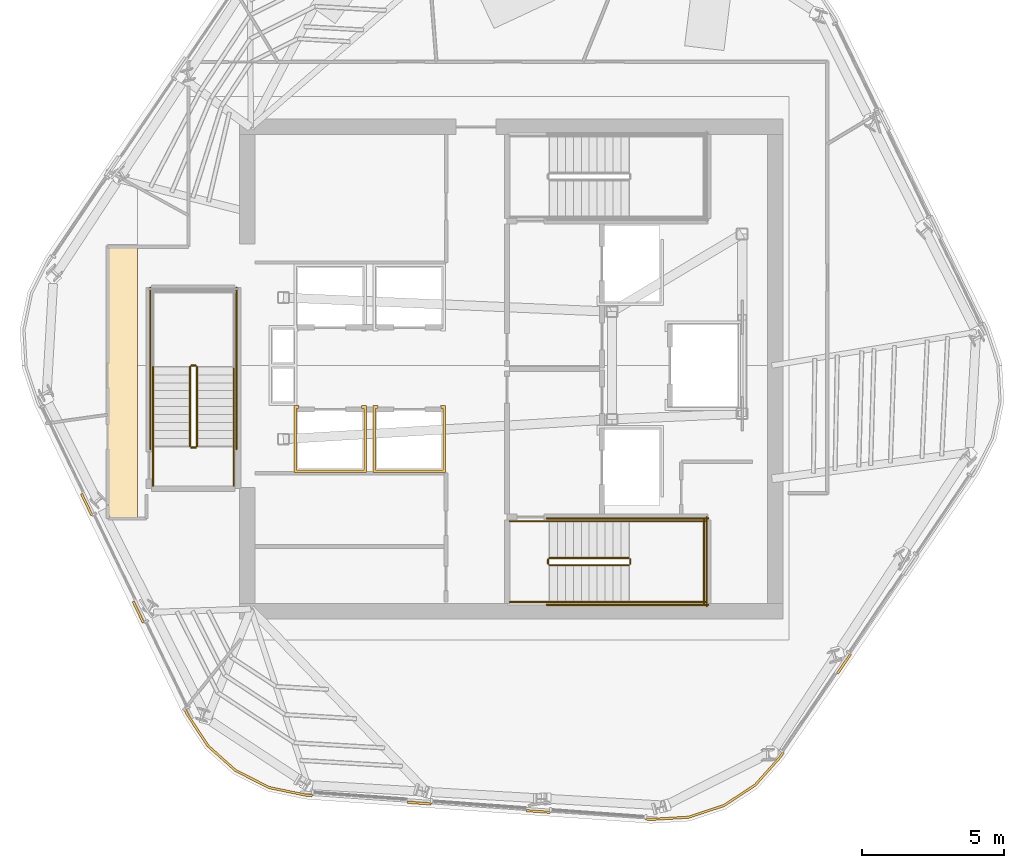
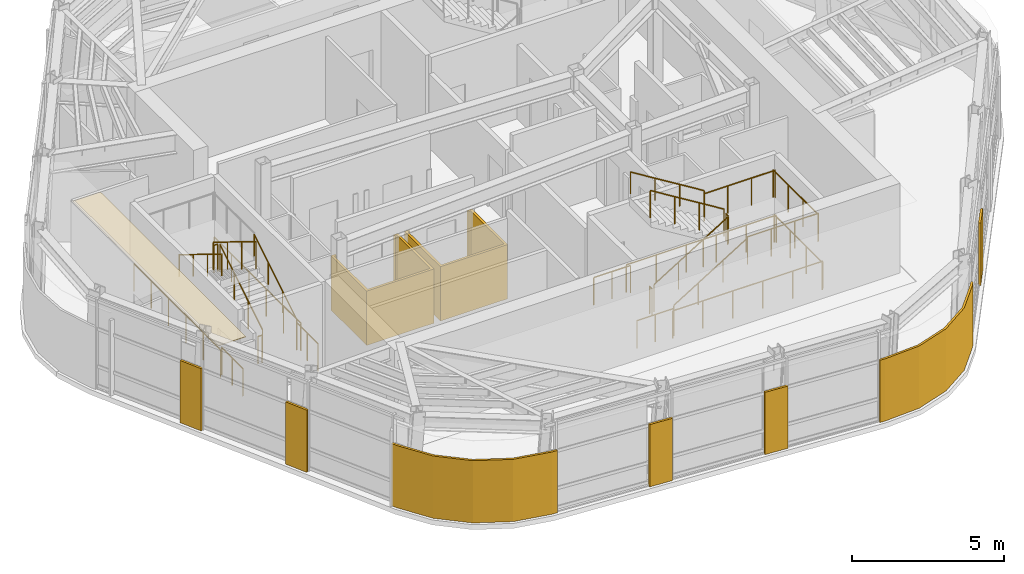
# One storey, part 8 of 11: 24 railings, 10 coverings.
"""IFC4 building model written with IfcOpenShell, lengths in metres."""

from ifc_helpers import new_model, si_unit, direction, frame, origin, origin_2d, place, context, subcontext, project, spatial, polyline, circle, outline, extrude, material, layer, layer_set, type_object, element, save


model = new_model("IFC4")

# Units and contexts
model_context = context("Model", 3, precision=1e-05, world=origin(), true_north=direction((0.0, 1.0)))
body_context = subcontext(model_context, "Body", "Model", "MODEL_VIEW")
ifc_project = project(units=[si_unit("LENGTHUNIT", "METRE"), si_unit("AREAUNIT", "SQUARE_METRE"), si_unit("VOLUMEUNIT", "CUBIC_METRE"), si_unit("PLANEANGLEUNIT", "RADIAN"), si_unit("MASSUNIT", "GRAM", prefix="KILO")], contexts=[model_context])

# Site, building, storey
site_placement = place(None, origin())
site = spatial("IfcSite", under=ifc_project, at=site_placement, CompositionType="ELEMENT")
building_placement = place(site_placement, origin())
building = spatial("IfcBuilding", under=site, at=building_placement, Name="Valkerne Bourse Tower", CompositionType="ELEMENT")
storey_placement = place(building_placement, frame((0.0, 0.0, 266.0)))
storey = spatial("IfcBuildingStorey", under=building, at=storey_placement, Name="L67", CompositionType="ELEMENT", Elevation=266.0)

# Coverings
ifc_material_1 = material(Name="Bronze Anodised Aluminium AA 6063-T6", Category="aluminium")
ifc_layer_1 = layer(ifc_material_1, 0.030029296875)
ifc_layer_set_1 = layer_set([ifc_layer_1], Name="Bronze Anodised Aluminium AA 6063-T6")
covering_type_1 = type_object("IfcCoveringType", Name="COV-CEIL-METAL", PredefinedType="CEILING", material=ifc_layer_set_1)
covering_1_placement = place(storey_placement, frame((0.0, 0.0, 3.25)))
element("IfcCovering", 1, at=covering_1_placement, inside=storey, type_object=covering_type_1, Name="L67 Suspended Ceiling 02", PredefinedType="CEILING", context=body_context, shape_type="SweptSolid", body=[
    extrude(outline(polyline([(32.553955078125, 21.60400390625), (32.553955078125, 31.196044921875), (33.60009765625, 31.196044921875), (33.60009765625, 21.60400390625), (32.553955078125, 21.60400390625)])), origin(), (0.0, 0.0, 1.0), 0.02490234375),
])
ifc_layer_2 = layer(ifc_material_1, 0.06005859375)
ifc_layer_set_2 = layer_set([ifc_layer_2], Name="Bronze Anodised Aluminium AA 6063-T6")
covering_type_2 = type_object("IfcCoveringType", Name="COV-CRN-ALUM", PredefinedType="CLADDING", material=ifc_layer_set_2)
covering_2_placement = place(storey_placement, origin())
element("IfcCovering", 2, at=covering_2_placement, inside=storey, type_object=covering_type_2, Name="L67 Wind-Shaped Corner Aluminium Cladding 03", PredefinedType="CLADDING", context=body_context, shape_type="SweptSolid", body=[
    extrude(outline(polyline([(58.343505859375, 16.10107421875), (58.277099609375, 16.14599609375), (58.751708984375, 16.839111328125), (58.81787109375, 16.794189453125), (58.343505859375, 16.10107421875)])), origin(), (0.0, 0.0, 1.0), 2.5),
])
covering_3_placement = place(storey_placement, origin())
element("IfcCovering", 3, at=covering_3_placement, inside=storey, type_object=covering_type_2, Name="L67 Wind-Shaped Corner Aluminium Cladding 04", PredefinedType="CLADDING", context=body_context, shape_type="SweptSolid", body=[
    extrude(outline(polyline([(56.329833984375, 13.1591796875), (55.439697265625, 12.16015625), (54.3271484375, 11.42919921875), (53.0634765625, 11.01123046875), (51.7275390625, 10.934326171875), (51.534912109375, 10.94775390625), (51.541015625, 11.027587890625), (51.72802734375, 11.014404296875), (53.04833984375, 11.090576171875), (54.2919921875, 11.501953125), (55.38720703125, 12.22119140625), (56.2666015625, 13.20849609375), (56.37255859375, 13.36328125), (56.438720703125, 13.318359375), (56.329833984375, 13.1591796875)])), origin(), (0.0, 0.0, 1.0), 2.5),
])
covering_4_placement = place(storey_placement, origin())
element("IfcCovering", 4, at=covering_4_placement, inside=storey, type_object=covering_type_2, Name="L67 Wind-Shaped Corner Aluminium Cladding 05", PredefinedType="CLADDING", context=body_context, shape_type="SweptSolid", body=[
    extrude(outline(polyline([(47.333251953125, 11.242431640625), (47.339111328125, 11.322021484375), (48.17724609375, 11.263427734375), (48.17138671875, 11.18359375), (47.333251953125, 11.242431640625)])), origin(), (0.0, 0.0, 1.0), 2.5),
])
covering_5_placement = place(storey_placement, origin())
element("IfcCovering", 5, at=covering_5_placement, inside=storey, type_object=covering_type_2, Name="L67 Wind-Shaped Corner Aluminium Cladding 06", PredefinedType="CLADDING", context=body_context, shape_type="SweptSolid", body=[
    extrude(outline(polyline([(43.131591796875, 11.536865234375), (43.137451171875, 11.61669921875), (43.9755859375, 11.55810546875), (43.969482421875, 11.478271484375), (43.131591796875, 11.536865234375)])), origin(), (0.0, 0.0, 1.0), 2.5),
])
covering_6_placement = place(storey_placement, origin())
element("IfcCovering", 6, at=covering_6_placement, inside=storey, type_object=covering_type_2, Name="L67 Wind-Shaped Corner Aluminium Cladding 07", PredefinedType="CLADDING", context=body_context, shape_type="SweptSolid", body=[
    extrude(outline(polyline([(39.5517578125, 11.787841796875), (38.241943359375, 12.05908203125), (37.052734375, 12.6572265625), (36.058837890625, 13.542724609375), (35.324462890625, 14.660888671875), (35.230712890625, 14.856201171875), (35.302734375, 14.89111328125), (35.394287109375, 14.7001953125), (36.119873046875, 13.595458984375), (37.09814453125, 12.72412109375), (38.268310546875, 12.135498046875), (39.562744140625, 11.8671875), (39.773681640625, 11.8525390625), (39.767822265625, 11.772705078125), (39.5517578125, 11.787841796875)])), origin(), (0.0, 0.0, 1.0), 2.5),
])
covering_7_placement = place(storey_placement, origin())
element("IfcCovering", 7, at=covering_7_placement, inside=storey, type_object=covering_type_2, Name="L67 Wind-Shaped Corner Aluminium Cladding 08", PredefinedType="CLADDING", context=body_context, shape_type="SweptSolid", body=[
    extrude(outline(polyline([(33.41015625, 18.654541015625), (33.482177734375, 18.689208984375), (33.84521484375, 17.931884765625), (33.773193359375, 17.89697265625), (33.41015625, 18.654541015625)])), origin(), (0.0, 0.0, 1.0), 2.5),
])
covering_8_placement = place(storey_placement, origin())
element("IfcCovering", 8, at=covering_8_placement, inside=storey, type_object=covering_type_2, Name="L67 Wind-Shaped Corner Aluminium Cladding 09", PredefinedType="CLADDING", context=body_context, shape_type="SweptSolid", body=[
    extrude(outline(polyline([(31.589599609375, 22.45263671875), (31.66162109375, 22.487548828125), (32.024658203125, 21.72998046875), (31.95263671875, 21.695068359375), (31.589599609375, 22.45263671875)])), origin(), (0.0, 0.0, 1.0), 2.5),
])
ifc_material_2 = material(Name="Gypsum Shaftwall Liner Board", Category="gypsum")
ifc_layer_3 = layer(ifc_material_2, 0.080078125)
ifc_layer_set_3 = layer_set([ifc_layer_3], Name="Gypsum Shaftwall Liner Board")
covering_type_3 = type_object("IfcCoveringType", Name="COV-SHF-CLAD", PredefinedType="CLADDING", material=ifc_layer_set_3)
covering_9_placement = place(storey_placement, origin())
element("IfcCovering", 9, at=covering_9_placement, inside=storey, type_object=covering_type_3, Name="L67 Hoistway & Riser Shaftwall Liner 02", PredefinedType="CLADDING", context=body_context, shape_type="SweptSolid", body=[
    extrude(outline(polyline([(39.29931640625, 25.580078125), (39.28857421875, 25.537841796875), (39.2822265625, 25.494140625), (39.281982421875, 25.489990234375), (39.2099609375, 25.489990234375), (39.2099609375, 23.31005859375), (41.590087890625, 23.31005859375), (41.590087890625, 25.489990234375), (41.51806640625, 25.489990234375), (41.517822265625, 25.494140625), (41.511474609375, 25.537841796875), (41.500732421875, 25.580078125), (41.679931640625, 25.580078125), (41.679931640625, 23.219970703125), (39.1201171875, 23.219970703125), (39.1201171875, 25.580078125), (39.29931640625, 25.580078125)])), origin(), (0.0, 0.0, 1.0), 2.179931640625),
])
covering_10_placement = place(storey_placement, origin())
element("IfcCovering", 10, at=covering_10_placement, inside=storey, type_object=covering_type_3, Name="L67 Hoistway & Riser Shaftwall Liner 03", PredefinedType="CLADDING", context=body_context, shape_type="SweptSolid", body=[
    extrude(outline(polyline([(42.09912109375, 25.580078125), (42.088623046875, 25.537841796875), (42.082275390625, 25.494140625), (42.08203125, 25.489990234375), (42.010009765625, 25.489990234375), (42.010009765625, 23.31005859375), (44.389892578125, 23.31005859375), (44.389892578125, 25.489990234375), (44.318115234375, 25.489990234375), (44.31787109375, 25.494140625), (44.311279296875, 25.537841796875), (44.30078125, 25.580078125), (44.47998046875, 25.580078125), (44.47998046875, 23.219970703125), (41.919921875, 23.219970703125), (41.919921875, 25.580078125), (42.09912109375, 25.580078125)])), origin(), (0.0, 0.0, 1.0), 2.179931640625),
])

# Railings
ifc_material_3 = material(Name="Galvanised Painted Steel", Category="steel")
railing_type_1 = type_object("IfcRailingType", Name="RLG-ST-GUARD-1120", PredefinedType="GUARDRAIL", material=ifc_material_3)
railing_1_placement = place(storey_placement, frame((48.14990234375, 19.949951171875, 0.172607421875)))
element("IfcRailing", 11, at=railing_1_placement, inside=storey, type_object=railing_type_1, Name="L67 ST-1 stair guard 1", PredefinedType="GUARDRAIL", context=body_context, shape_type="SweptSolid", body=[
    extrude(circle(Radius=0.02392578125, at=origin_2d()), frame((0.0, 0.0, 1.09619140625), z_axis=(0.851089632645, 0.0, 0.525020415988), x_axis=(0.0, 1.0, 0.0)), (0.0, 0.0, 1.0), 3.2900390625),
    extrude(circle(Radius=0.02099609375, at=origin_2d()), origin(), (0.0, 0.0, 1.0), 1.072021484375),
    extrude(circle(Radius=0.02099609375, at=origin_2d()), frame((0.933349609375, 0.0, 0.57568359375)), (0.0, 0.0, 1.0), 1.072021484375),
    extrude(circle(Radius=0.02099609375, at=origin_2d()), frame((1.86669921875, 0.0, 1.151611328125)), (0.0, 0.0, 1.0), 1.072021484375),
    extrude(circle(Radius=0.02099609375, at=origin_2d()), frame((2.800048828125, 0.0, 1.727294921875)), (0.0, 0.0, 1.0), 1.072021484375),
])
railing_2_placement = place(storey_placement, frame((51.0, 20.0, 1.89990234375)))
element("IfcRailing", 12, at=railing_2_placement, inside=storey, type_object=railing_type_1, Name="L67 ST-1 stair guard 2", PredefinedType="GUARDRAIL", context=body_context, shape_type="SweptSolid", body=[
    extrude(circle(Radius=0.02392578125, at=origin_2d()), frame((0.0, 0.0, 1.09619140625), z_axis=(0.0, 1.0, 0.0), x_axis=(-1.0, 0.0, 0.0)), (0.0, 0.0, 1.0), 0.14990234375),
    extrude(circle(Radius=0.02099609375, at=origin_2d()), origin(), (0.0, 0.0, 1.0), 1.072021484375),
    extrude(circle(Radius=0.02099609375, at=origin_2d()), frame((0.0, 0.14990234375, 0.0)), (0.0, 0.0, 1.0), 1.072021484375),
])
for number, where, name in (
    (13, (50.949951171875, 18.64990234375, 1.89990234375), "L67 ST-1 stair guard 3"),
    (14, (50.949951171875, 21.5, 1.89990234375), "L67 ST-1 stair guard 4"),
):
    element("IfcRailing", number, at=place(storey_placement, frame(where)), inside=storey, type_object=railing_type_1, Name=name, PredefinedType="GUARDRAIL", context=body_context, shape_type="SweptSolid", body=[
        extrude(circle(Radius=0.02392578125, at=origin_2d()), frame((0.0, 0.0, 1.09619140625), z_axis=(1.0, 0.0, 0.0), x_axis=(0.0, 1.0, 0.0)), (0.0, 0.0, 1.0), 2.699951171875),
        extrude(circle(Radius=0.02099609375, at=origin_2d()), origin(), (0.0, 0.0, 1.0), 1.072021484375),
        extrude(circle(Radius=0.02099609375, at=origin_2d()), frame((0.89990234375, 0.0, 0.0)), (0.0, 0.0, 1.0), 1.072021484375),
        extrude(circle(Radius=0.02099609375, at=origin_2d()), frame((1.800048828125, 0.0, 0.0)), (0.0, 0.0, 1.0), 1.072021484375),
        extrude(circle(Radius=0.02099609375, at=origin_2d()), frame((2.699951171875, 0.0, 0.0)), (0.0, 0.0, 1.0), 1.072021484375),
    ])
railing_3_placement = place(storey_placement, frame((53.60009765625, 18.60009765625, 1.89990234375)))
element("IfcRailing", 15, at=railing_3_placement, inside=storey, type_object=railing_type_1, Name="L67 ST-1 stair guard 5", PredefinedType="GUARDRAIL", context=body_context, shape_type="SweptSolid", body=[
    extrude(circle(Radius=0.02392578125, at=origin_2d()), frame((0.0, 0.0, 1.09619140625), z_axis=(0.0, 1.0, 0.0), x_axis=(-1.0, 0.0, 0.0)), (0.0, 0.0, 1.0), 2.949951171875),
    extrude(circle(Radius=0.02099609375, at=origin_2d()), origin(), (0.0, 0.0, 1.0), 1.072021484375),
    extrude(circle(Radius=0.02099609375, at=origin_2d()), frame((0.0, 0.9833984375, 0.0)), (0.0, 0.0, 1.0), 1.072021484375),
    extrude(circle(Radius=0.02099609375, at=origin_2d()), frame((0.0, 1.966552734375, 0.0)), (0.0, 0.0, 1.0), 1.072021484375),
    extrude(circle(Radius=0.02099609375, at=origin_2d()), frame((0.0, 2.949951171875, 0.0)), (0.0, 0.0, 1.0), 1.072021484375),
])
railing_4_placement = place(storey_placement, frame((50.949951171875, 20.199951171875, 2.07275390625)))
element("IfcRailing", 16, at=railing_4_placement, inside=storey, type_object=railing_type_1, Name="L67 ST-1 stair guard 6", PredefinedType="GUARDRAIL", context=body_context, shape_type="SweptSolid", body=[
    extrude(circle(Radius=0.02392578125, at=origin_2d()), frame((0.0, 0.0, 1.09619140625), z_axis=(-0.851089632645, 0.0, 0.525020415988), x_axis=(0.0, -1.0, 0.0)), (0.0, 0.0, 1.0), 3.2900390625),
    extrude(circle(Radius=0.02099609375, at=origin_2d()), origin(), (0.0, 0.0, 1.0), 1.072021484375),
    extrude(circle(Radius=0.02099609375, at=origin_2d()), frame((-0.933349609375, 0.0, 0.57568359375)), (0.0, 0.0, 1.0), 1.072021484375),
    extrude(circle(Radius=0.02099609375, at=origin_2d()), frame((-1.86669921875, 0.0, 1.151611328125)), (0.0, 0.0, 1.0), 1.072021484375),
    extrude(circle(Radius=0.02099609375, at=origin_2d()), frame((-2.800048828125, 0.0, 1.727294921875)), (0.0, 0.0, 1.0), 1.072021484375),
])
railing_5_placement = place(storey_placement, frame((48.10009765625, 20.0, 0.0)))
element("IfcRailing", 17, at=railing_5_placement, inside=storey, type_object=railing_type_1, Name="L67 ST-1 stair guard 7", PredefinedType="GUARDRAIL", context=body_context, shape_type="SweptSolid", body=[
    extrude(circle(Radius=0.02392578125, at=origin_2d()), frame((0.0, 0.0, 1.09619140625), z_axis=(0.0, 1.0, 0.0), x_axis=(-1.0, 0.0, 0.0)), (0.0, 0.0, 1.0), 0.14990234375),
    extrude(circle(Radius=0.02099609375, at=origin_2d()), origin(), (0.0, 0.0, 1.0), 1.072021484375),
    extrude(circle(Radius=0.02099609375, at=origin_2d()), frame((0.0, 0.14990234375, 0.0)), (0.0, 0.0, 1.0), 1.072021484375),
])
for number, where, name in (
    (18, (46.75, 18.64990234375, 0.0), "L67 ST-1 stair guard 8"),
    (19, (46.75, 21.5, 0.0), "L67 ST-1 stair guard 9"),
):
    element("IfcRailing", number, at=place(storey_placement, frame(where)), inside=storey, type_object=railing_type_1, Name=name, PredefinedType="GUARDRAIL", context=body_context, shape_type="SweptSolid", body=[
        extrude(circle(Radius=0.02392578125, at=origin_2d()), frame((0.0, 0.0, 1.09619140625), z_axis=(1.0, 0.0, 0.0), x_axis=(0.0, 1.0, 0.0)), (0.0, 0.0, 1.0), 1.39990234375),
        extrude(circle(Radius=0.02099609375, at=origin_2d()), origin(), (0.0, 0.0, 1.0), 1.072021484375),
        extrude(circle(Radius=0.02099609375, at=origin_2d()), frame((0.699951171875, 0.0, 0.0)), (0.0, 0.0, 1.0), 1.072021484375),
        extrude(circle(Radius=0.02099609375, at=origin_2d()), frame((1.39990234375, 0.0, 0.0)), (0.0, 0.0, 1.0), 1.072021484375),
    ])
for number, where, name in (
    (20, (48.050048828125, 18.550048828125, 0.0), "L67 ST-1 stair guard 10"),
    (21, (48.050048828125, 21.60009765625, 0.0), "L67 ST-1 stair guard 11"),
):
    element("IfcRailing", number, at=place(storey_placement, frame(where)), inside=storey, type_object=railing_type_1, Name=name, PredefinedType="GUARDRAIL", context=body_context, shape_type="SweptSolid", body=[
        extrude(circle(Radius=0.02392578125, at=origin_2d()), frame((0.0, 0.0, 1.09619140625), z_axis=(1.0, 0.0, 0.0), x_axis=(0.0, 1.0, 0.0)), (0.0, 0.0, 1.0), 5.699951171875),
        extrude(circle(Radius=0.02099609375, at=origin_2d()), origin(), (0.0, 0.0, 1.0), 1.072021484375),
        extrude(circle(Radius=0.02099609375, at=origin_2d()), frame((1.139892578125, 0.0, 0.0)), (0.0, 0.0, 1.0), 1.072021484375),
        extrude(circle(Radius=0.02099609375, at=origin_2d()), frame((2.280029296875, 0.0, 0.0)), (0.0, 0.0, 1.0), 1.072021484375),
        extrude(circle(Radius=0.02099609375, at=origin_2d()), frame((3.419921875, 0.0, 0.0)), (0.0, 0.0, 1.0), 1.072021484375),
        extrude(circle(Radius=0.02099609375, at=origin_2d()), frame((4.56005859375, 0.0, 0.0)), (0.0, 0.0, 1.0), 1.072021484375),
        extrude(circle(Radius=0.02099609375, at=origin_2d()), frame((5.699951171875, 0.0, 0.0)), (0.0, 0.0, 1.0), 1.072021484375),
    ])
railing_6_placement = place(storey_placement, frame((53.699951171875, 18.5, 0.0)))
element("IfcRailing", 22, at=railing_6_placement, inside=storey, type_object=railing_type_1, Name="L67 ST-1 stair guard 12", PredefinedType="GUARDRAIL", context=body_context, shape_type="SweptSolid", body=[
    extrude(circle(Radius=0.02392578125, at=origin_2d()), frame((0.0, 0.0, 1.09619140625), z_axis=(0.0, 1.0, 0.0), x_axis=(-1.0, 0.0, 0.0)), (0.0, 0.0, 1.0), 3.14990234375),
    extrude(circle(Radius=0.02099609375, at=origin_2d()), origin(), (0.0, 0.0, 1.0), 1.072021484375),
    extrude(circle(Radius=0.02099609375, at=origin_2d()), frame((0.0, 1.050048828125, 0.0)), (0.0, 0.0, 1.0), 1.072021484375),
    extrude(circle(Radius=0.02099609375, at=origin_2d()), frame((0.0, 2.099853515625, 0.0)), (0.0, 0.0, 1.0), 1.072021484375),
    extrude(circle(Radius=0.02099609375, at=origin_2d()), frame((0.0, 3.14990234375, 0.0)), (0.0, 0.0, 1.0), 1.072021484375),
])
railing_7_placement = place(storey_placement, frame((35.699951171875, 24.14990234375, 0.172607421875)))
element("IfcRailing", 23, at=railing_7_placement, inside=storey, type_object=railing_type_1, Name="L67 ST-3 stair guard 1", PredefinedType="GUARDRAIL", context=body_context, shape_type="SweptSolid", body=[
    extrude(circle(Radius=0.02392578125, at=origin_2d()), frame((0.0, 0.0, 1.09619140625), z_axis=(0.0, 0.851089632645, 0.525020415988), x_axis=(-1.0, 0.0, 0.0)), (0.0, 0.0, 1.0), 3.2900390625),
    extrude(circle(Radius=0.02099609375, at=origin_2d()), origin(), (0.0, 0.0, 1.0), 1.072021484375),
    extrude(circle(Radius=0.02099609375, at=origin_2d()), frame((0.0, 0.933349609375, 0.57568359375)), (0.0, 0.0, 1.0), 1.072021484375),
    extrude(circle(Radius=0.02099609375, at=origin_2d()), frame((0.0, 1.86669921875, 1.151611328125)), (0.0, 0.0, 1.0), 1.072021484375),
    extrude(circle(Radius=0.02099609375, at=origin_2d()), frame((0.0, 2.800048828125, 1.727294921875)), (0.0, 0.0, 1.0), 1.072021484375),
])
railing_8_placement = place(storey_placement, frame((35.64990234375, 27.0, 1.89990234375)))
element("IfcRailing", 24, at=railing_8_placement, inside=storey, type_object=railing_type_1, Name="L67 ST-3 stair guard 2", PredefinedType="GUARDRAIL", context=body_context, shape_type="SweptSolid", body=[
    extrude(circle(Radius=0.02392578125, at=origin_2d()), frame((0.0, 0.0, 1.09619140625), z_axis=(-1.0, 0.0, 0.0), x_axis=(0.0, -1.0, 0.0)), (0.0, 0.0, 1.0), 0.14990234375),
    extrude(circle(Radius=0.02099609375, at=origin_2d()), origin(), (0.0, 0.0, 1.0), 1.072021484375),
    extrude(circle(Radius=0.02099609375, at=origin_2d()), frame((-0.14990234375, 0.0, 0.0)), (0.0, 0.0, 1.0), 1.072021484375),
])
railing_9_placement = place(storey_placement, frame((35.449951171875, 26.949951171875, 2.07275390625)))
element("IfcRailing", 25, at=railing_9_placement, inside=storey, type_object=railing_type_1, Name="L67 ST-3 stair guard 6", PredefinedType="GUARDRAIL", context=body_context, shape_type="SweptSolid", body=[
    extrude(circle(Radius=0.02392578125, at=origin_2d()), frame((0.0, 0.0, 1.09619140625), z_axis=(0.0, -0.851089632645, 0.525020415988), x_axis=(1.0, 0.0, 0.0)), (0.0, 0.0, 1.0), 3.2900390625),
    extrude(circle(Radius=0.02099609375, at=origin_2d()), origin(), (0.0, 0.0, 1.0), 1.072021484375),
    extrude(circle(Radius=0.02099609375, at=origin_2d()), frame((0.0, -0.933349609375, 0.57568359375)), (0.0, 0.0, 1.0), 1.072021484375),
    extrude(circle(Radius=0.02099609375, at=origin_2d()), frame((0.0, -1.86669921875, 1.151611328125)), (0.0, 0.0, 1.0), 1.072021484375),
    extrude(circle(Radius=0.02099609375, at=origin_2d()), frame((0.0, -2.800048828125, 1.727294921875)), (0.0, 0.0, 1.0), 1.072021484375),
])
railing_10_placement = place(storey_placement, frame((35.64990234375, 24.10009765625, 0.0)))
element("IfcRailing", 26, at=railing_10_placement, inside=storey, type_object=railing_type_1, Name="L67 ST-3 stair guard 7", PredefinedType="GUARDRAIL", context=body_context, shape_type="SweptSolid", body=[
    extrude(circle(Radius=0.02392578125, at=origin_2d()), frame((0.0, 0.0, 1.09619140625), z_axis=(-1.0, 0.0, 0.0), x_axis=(0.0, -1.0, 0.0)), (0.0, 0.0, 1.0), 0.14990234375),
    extrude(circle(Radius=0.02099609375, at=origin_2d()), origin(), (0.0, 0.0, 1.0), 1.072021484375),
    extrude(circle(Radius=0.02099609375, at=origin_2d()), frame((-0.14990234375, 0.0, 0.0)), (0.0, 0.0, 1.0), 1.072021484375),
])
for number, where, name in (
    (27, (37.0, 22.75, 0.0), "L67 ST-3 stair guard 8"),
    (28, (34.14990234375, 22.75, 0.0), "L67 ST-3 stair guard 9"),
):
    element("IfcRailing", number, at=place(storey_placement, frame(where)), inside=storey, type_object=railing_type_1, Name=name, PredefinedType="GUARDRAIL", context=body_context, shape_type="SweptSolid", body=[
        extrude(circle(Radius=0.02392578125, at=origin_2d()), frame((0.0, 0.0, 1.09619140625), z_axis=(0.0, 1.0, 0.0), x_axis=(-1.0, 0.0, 0.0)), (0.0, 0.0, 1.0), 1.39990234375),
        extrude(circle(Radius=0.02099609375, at=origin_2d()), origin(), (0.0, 0.0, 1.0), 1.072021484375),
        extrude(circle(Radius=0.02099609375, at=origin_2d()), frame((0.0, 0.699951171875, 0.0)), (0.0, 0.0, 1.0), 1.072021484375),
        extrude(circle(Radius=0.02099609375, at=origin_2d()), frame((0.0, 1.39990234375, 0.0)), (0.0, 0.0, 1.0), 1.072021484375),
    ])
for number, where, name in (
    (29, (37.10009765625, 24.050048828125, 0.0), "L67 ST-3 stair guard 10"),
    (30, (34.050048828125, 24.050048828125, 0.0), "L67 ST-3 stair guard 11"),
):
    element("IfcRailing", number, at=place(storey_placement, frame(where)), inside=storey, type_object=railing_type_1, Name=name, PredefinedType="GUARDRAIL", context=body_context, shape_type="SweptSolid", body=[
        extrude(circle(Radius=0.02392578125, at=origin_2d()), frame((0.0, 0.0, 1.09619140625), z_axis=(0.0, 1.0, 0.0), x_axis=(-1.0, 0.0, 0.0)), (0.0, 0.0, 1.0), 5.699951171875),
        extrude(circle(Radius=0.02099609375, at=origin_2d()), origin(), (0.0, 0.0, 1.0), 1.072021484375),
        extrude(circle(Radius=0.02099609375, at=origin_2d()), frame((0.0, 1.139892578125, 0.0)), (0.0, 0.0, 1.0), 1.072021484375),
        extrude(circle(Radius=0.02099609375, at=origin_2d()), frame((0.0, 2.280029296875, 0.0)), (0.0, 0.0, 1.0), 1.072021484375),
        extrude(circle(Radius=0.02099609375, at=origin_2d()), frame((0.0, 3.419921875, 0.0)), (0.0, 0.0, 1.0), 1.072021484375),
        extrude(circle(Radius=0.02099609375, at=origin_2d()), frame((0.0, 4.56005859375, 0.0)), (0.0, 0.0, 1.0), 1.072021484375),
        extrude(circle(Radius=0.02099609375, at=origin_2d()), frame((0.0, 5.699951171875, 0.0)), (0.0, 0.0, 1.0), 1.072021484375),
    ])
ifc_material_4 = material(Name="Stainless Steel AISI 316", Category="steel")
railing_type_2 = type_object("IfcRailingType", Name="RLG-ST-HANDRAIL-900", PredefinedType="HANDRAIL", material=ifc_material_4)
railing_11_placement = place(storey_placement, frame((48.14990234375, 18.64990234375, 0.345458984375)))
element("IfcRailing", 31, at=railing_11_placement, inside=storey, type_object=railing_type_2, Name="L67 ST-1 stair handrail 1", PredefinedType="HANDRAIL", context=body_context, shape_type="SweptSolid", body=[
    extrude(circle(Radius=0.02392578125, at=origin_2d()), frame((0.0, 0.0, 0.8759765625), z_axis=(0.851089632645, 0.0, 0.525020415988), x_axis=(0.0, 1.0, 0.0)), (0.0, 0.0, 1.0), 3.2900390625),
    extrude(circle(Radius=0.02099609375, at=origin_2d()), origin(), (0.0, 0.0, 1.0), 0.851806640625),
    extrude(circle(Radius=0.02099609375, at=origin_2d()), frame((0.933349609375, 0.0, 0.57568359375)), (0.0, 0.0, 1.0), 0.851806640625),
    extrude(circle(Radius=0.02099609375, at=origin_2d()), frame((1.86669921875, 0.0, 1.151611328125)), (0.0, 0.0, 1.0), 0.851806640625),
    extrude(circle(Radius=0.02099609375, at=origin_2d()), frame((2.800048828125, 0.0, 1.727294921875)), (0.0, 0.0, 1.0), 0.851806640625),
])
railing_12_placement = place(storey_placement, frame((50.949951171875, 21.5, 2.245361328125)))
element("IfcRailing", 32, at=railing_12_placement, inside=storey, type_object=railing_type_2, Name="L67 ST-1 stair handrail 2", PredefinedType="HANDRAIL", context=body_context, shape_type="SweptSolid", body=[
    extrude(circle(Radius=0.02392578125, at=origin_2d()), frame((0.0, 0.0, 0.8759765625), z_axis=(-0.851089632645, 0.0, 0.525020415988), x_axis=(0.0, -1.0, 0.0)), (0.0, 0.0, 1.0), 3.2900390625),
    extrude(circle(Radius=0.02099609375, at=origin_2d()), origin(), (0.0, 0.0, 1.0), 0.851806640625),
    extrude(circle(Radius=0.02099609375, at=origin_2d()), frame((-0.933349609375, 0.0, 0.57568359375)), (0.0, 0.0, 1.0), 0.851806640625),
    extrude(circle(Radius=0.02099609375, at=origin_2d()), frame((-1.86669921875, 0.0, 1.151611328125)), (0.0, 0.0, 1.0), 0.851806640625),
    extrude(circle(Radius=0.02099609375, at=origin_2d()), frame((-2.800048828125, 0.0, 1.727294921875)), (0.0, 0.0, 1.0), 0.851806640625),
])
railing_13_placement = place(storey_placement, frame((37.0, 24.14990234375, 0.345458984375)))
element("IfcRailing", 33, at=railing_13_placement, inside=storey, type_object=railing_type_2, Name="L67 ST-3 stair handrail 1", PredefinedType="HANDRAIL", context=body_context, shape_type="SweptSolid", body=[
    extrude(circle(Radius=0.02392578125, at=origin_2d()), frame((0.0, 0.0, 0.8759765625), z_axis=(0.0, 0.851089632645, 0.525020415988), x_axis=(-1.0, 0.0, 0.0)), (0.0, 0.0, 1.0), 3.2900390625),
    extrude(circle(Radius=0.02099609375, at=origin_2d()), origin(), (0.0, 0.0, 1.0), 0.851806640625),
    extrude(circle(Radius=0.02099609375, at=origin_2d()), frame((0.0, 0.933349609375, 0.57568359375)), (0.0, 0.0, 1.0), 0.851806640625),
    extrude(circle(Radius=0.02099609375, at=origin_2d()), frame((0.0, 1.86669921875, 1.151611328125)), (0.0, 0.0, 1.0), 0.851806640625),
    extrude(circle(Radius=0.02099609375, at=origin_2d()), frame((0.0, 2.800048828125, 1.727294921875)), (0.0, 0.0, 1.0), 0.851806640625),
])
railing_14_placement = place(storey_placement, frame((34.14990234375, 26.949951171875, 2.245361328125)))
element("IfcRailing", 34, at=railing_14_placement, inside=storey, type_object=railing_type_2, Name="L67 ST-3 stair handrail 2", PredefinedType="HANDRAIL", context=body_context, shape_type="SweptSolid", body=[
    extrude(circle(Radius=0.02392578125, at=origin_2d()), frame((0.0, 0.0, 0.8759765625), z_axis=(0.0, -0.851089632645, 0.525020415988), x_axis=(1.0, 0.0, 0.0)), (0.0, 0.0, 1.0), 3.2900390625),
    extrude(circle(Radius=0.02099609375, at=origin_2d()), origin(), (0.0, 0.0, 1.0), 0.851806640625),
    extrude(circle(Radius=0.02099609375, at=origin_2d()), frame((0.0, -0.933349609375, 0.57568359375)), (0.0, 0.0, 1.0), 0.851806640625),
    extrude(circle(Radius=0.02099609375, at=origin_2d()), frame((0.0, -1.86669921875, 1.151611328125)), (0.0, 0.0, 1.0), 0.851806640625),
    extrude(circle(Radius=0.02099609375, at=origin_2d()), frame((0.0, -2.800048828125, 1.727294921875)), (0.0, 0.0, 1.0), 0.851806640625),
])

save(model, "model.ifc")
